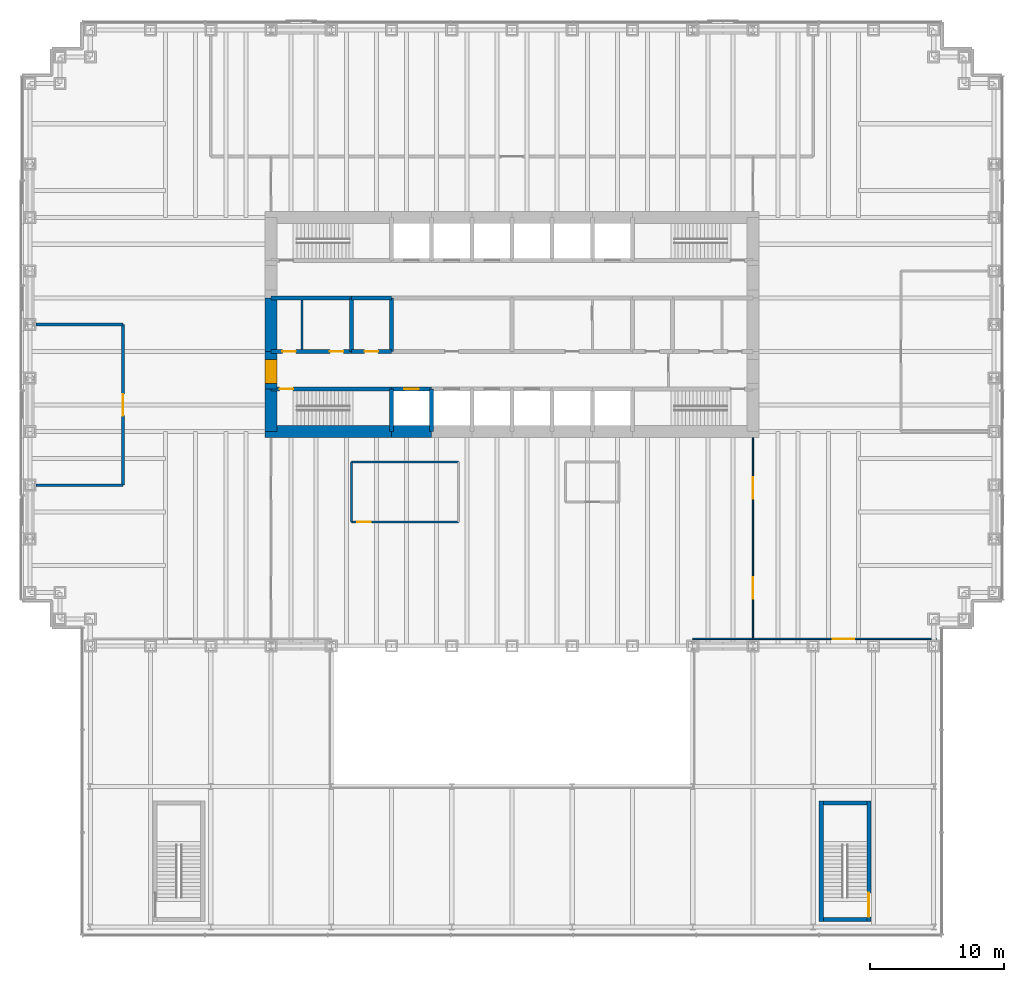
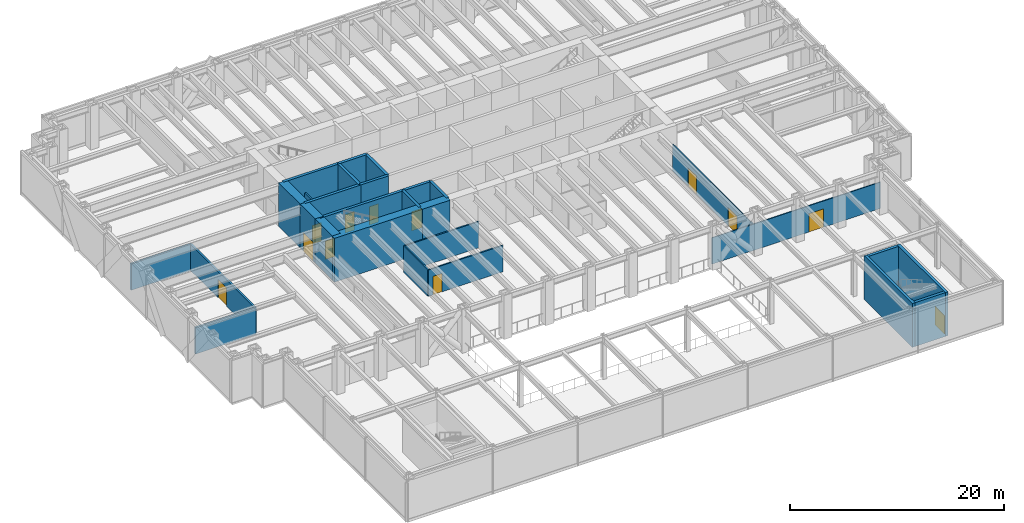
# One storey, part 13 of 17: 28 walls, 12 doors, 12 openings.
"""IFC4 building model written with IfcOpenShell, lengths in metres."""

from ifc_helpers import new_model, si_unit, direction, frame, frame_2d, origin, place, context, subcontext, project, spatial, rectangle, extrude, material, layer, layer_set, type_object, element, fill, save


model = new_model("IFC4")

# Units and contexts
model_context = context("Model", 3, precision=1e-05, world=origin(), true_north=direction((0.0, 1.0)))
body_context = subcontext(model_context, "Body", "Model", "MODEL_VIEW")
ifc_project = project(units=[si_unit("LENGTHUNIT", "METRE"), si_unit("AREAUNIT", "SQUARE_METRE"), si_unit("VOLUMEUNIT", "CUBIC_METRE"), si_unit("PLANEANGLEUNIT", "RADIAN"), si_unit("MASSUNIT", "GRAM", prefix="KILO")], contexts=[model_context])

# Site, building, storey
site_placement = place(None, origin())
site = spatial("IfcSite", under=ifc_project, at=site_placement, CompositionType="ELEMENT")
building_placement = place(site_placement, origin())
building = spatial("IfcBuilding", under=site, at=building_placement, Name="Rheinbord Bourse Tower", CompositionType="ELEMENT")
storey_placement = place(building_placement, frame((0.0, 0.0, 13.0)))
storey = spatial("IfcBuildingStorey", under=building, at=storey_placement, Name="L02", CompositionType="ELEMENT", Elevation=13.0)

# Walls
ifc_material_1 = material(Name="Acoustic gypsum board partition", Category="gypsum board")
ifc_layer_1 = layer(ifc_material_1, 0.199951171875)
ifc_layer_set_1 = layer_set([ifc_layer_1], Name="ACOUSTIC PARTITION 200")
wall_type_1 = type_object("IfcWallType", Name="ACOUSTIC PARTITION 200", PredefinedType="PARTITIONING", material=ifc_layer_set_1)
for number, where, z_axis, x_axis, name in (
    (1, (0.449951171875, 12.0, 0.0), (0.0, 0.0, 1.0), (1.0, 0.0, 0.0), "Partition L02-03"),
    (2, (0.449951171875, 24.0, 0.0), (0.0, 0.0, 1.0), (1.0, 0.0, 0.0), "Partition L02-07"),
):
    element("IfcWall", number, at=place(storey_placement, frame(where, z_axis=z_axis, x_axis=x_axis)), inside=storey, type_object=wall_type_1, Name=name, PredefinedType="PARTITIONING", context=body_context, shape_type="SweptSolid", body=[
        extrude(rectangle(XDim=6.5, YDim=0.199951171875, at=frame_2d((3.25, 0.0))), origin(), (0.0, 0.0, 1.0), 3.0),
    ])

# Wall, opening, door
wall_1_placement = place(storey_placement, frame((6.949951171875, 12.0, 0.0), z_axis=(0.0, 0.0, 1.0), x_axis=(0.0, 1.0, 0.0)))
wall_1 = element("IfcWall", 3, at=wall_1_placement, inside=storey, type_object=wall_type_1, Name="Partition L02-10", PredefinedType="PARTITIONING", context=body_context, shape_type="SweptSolid", body=[
    extrude(rectangle(XDim=12.0, YDim=0.199951171875, at=frame_2d((6.0, 0.0))), origin(), (0.0, 0.0, 1.0), 3.0),
])
opening_1_placement = place(wall_1_placement, frame((5.199951171875, 0.0, 0.0)))
opening_1 = element("IfcOpeningElement", 4, at=opening_1_placement, cuts=wall_1, Name="Opening 02D03", PredefinedType="OPENING", context=body_context, shape_type="SweptSolid", body=[
    extrude(rectangle(XDim=1.60009765625, YDim=2.10009765625, at=frame_2d((0.800048828125, 1.050048828125))), frame((0.0, 0.10986328125, 0.0), z_axis=(0.0, -1.0, 0.0), x_axis=(1.0, 0.0, 0.0)), (0.0, 0.0, 1.0), 0.219970703125),
])
ifc_material_2 = material(Name="Timber door", Category="wood")
door_type_1 = type_object("IfcDoorType", Name="DOUBLE ROOM DOOR 1600", OperationType="DOUBLE_DOOR_DOUBLE_SWING", PredefinedType="DOOR", material=ifc_material_2)
door_1_placement = place(opening_1_placement, origin())
door_1 = element("IfcDoor", 5, at=door_1_placement, inside=storey, type_object=door_type_1, Name="Visitor centre media room door L02", OperationType="SINGLE_SWING_LEFT", OverallHeight=2.10009765625, OverallWidth=1.60009765625, PredefinedType="DOOR", context=body_context, shape_type="SweptSolid", body=[
    extrude(rectangle(XDim=1.60009765625, YDim=2.10009765625, at=frame_2d((0.800048828125, 1.050048828125))), frame((0.0, 0.02490234375, 0.0), z_axis=(0.0, -1.0, 0.0), x_axis=(1.0, 0.0, 0.0)), (0.0, 0.0, 1.0), 0.050048828125),
])
fill(opening_1, door_1)

ifc_material_3 = material(Name="Concrete C50/60", Category="concrete")
ifc_layer_2 = layer(ifc_material_3, 0.300048828125)
ifc_layer_set_2 = layer_set([ifc_layer_2], Name="CORE INNER WALL 300")
wall_type_2 = type_object("IfcWallType", Name="CORE INNER WALL 300", PredefinedType="SOLIDWALL", material=ifc_layer_set_2)
wall_2_placement = place(storey_placement, frame((18.0, 19.199951171875, 0.0), z_axis=(0.0, 0.0, 1.0), x_axis=(1.0, 0.0, 0.0)))
wall_2 = element("IfcWall", 6, at=wall_2_placement, inside=storey, type_object=wall_type_2, Name="Core wall A1 L02", PredefinedType="SOLIDWALL", context=body_context, shape_type="SweptSolid", body=[
    extrude(rectangle(XDim=9.0, YDim=0.300048828125, at=frame_2d((4.5, 0.0))), origin(), (0.0, 0.0, 1.0), 5.0),
])
opening_2_placement = place(wall_2_placement, frame((0.64990234375, 0.0, 0.0)))
opening_2 = element("IfcOpeningElement", 7, at=opening_2_placement, cuts=wall_2, Name="Opening 0210", PredefinedType="OPENING", context=body_context, shape_type="SweptSolid", body=[
    extrude(rectangle(XDim=1.0, YDim=2.10009765625, at=frame_2d((0.5, 1.050048828125))), frame((0.0, 0.159912109375, 0.0), z_axis=(0.0, -1.0, 0.0), x_axis=(1.0, 0.0, 0.0)), (0.0, 0.0, 1.0), 0.320068359375),
])
ifc_material_4 = material(Name="Steel door", Category="steel")
door_type_2 = type_object("IfcDoorType", Name="DOOR 1000 EI30", OperationType="SINGLE_SWING_LEFT", PredefinedType="DOOR", material=ifc_material_4)
door_2_placement = place(opening_2_placement, origin())
door_2 = element("IfcDoor", 8, at=door_2_placement, inside=storey, type_object=door_type_2, Name="Stair door ST1 L02", OperationType="SINGLE_SWING_LEFT", OverallHeight=2.10009765625, OverallWidth=1.0, PredefinedType="DOOR", context=body_context, shape_type="SweptSolid", body=[
    extrude(rectangle(XDim=1.0, YDim=2.10009765625, at=frame_2d((0.5, 1.050048828125))), frame((0.0, 0.02490234375, 0.0), z_axis=(0.0, -1.0, 0.0), x_axis=(1.0, 0.0, 0.0)), (0.0, 0.0, 1.0), 0.050048828125),
])
fill(opening_2, door_2)

wall_3_placement = place(storey_placement, frame((27.0, 19.199951171875, 0.0), z_axis=(0.0, 0.0, 1.0), x_axis=(1.0, 0.0, 0.0)))
wall_3 = element("IfcWall", 9, at=wall_3_placement, inside=storey, type_object=wall_type_2, Name="Core wall A2 L02", PredefinedType="SOLIDWALL", context=body_context, shape_type="SweptSolid", body=[
    extrude(rectangle(XDim=3.0, YDim=0.300048828125, at=frame_2d((1.5, 0.0))), origin(), (0.0, 0.0, 1.0), 5.0),
])
opening_3_placement = place(wall_3_placement, frame((0.949951171875, 0.0, 0.0)))
opening_3 = element("IfcOpeningElement", 10, at=opening_3_placement, cuts=wall_3, Name="Opening FL1", PredefinedType="OPENING", context=body_context, shape_type="SweptSolid", body=[
    extrude(rectangle(XDim=1.10009765625, YDim=2.199951171875, at=frame_2d((0.550048828125, 1.10009765625))), frame((0.0, 0.159912109375, 0.0), z_axis=(0.0, -1.0, 0.0), x_axis=(1.0, 0.0, 0.0)), (0.0, 0.0, 1.0), 0.320068359375),
])
ifc_material_5 = material(Name="Steel landing door", Category="steel")
door_type_3 = type_object("IfcDoorType", Name="LIFT LANDING DOOR 1100", OperationType="DOUBLE_DOOR_SLIDING", PredefinedType="USERDEFINED", material=ifc_material_5)
door_3_placement = place(opening_3_placement, origin())
door_3 = element("IfcDoor", 11, at=door_3_placement, inside=storey, type_object=door_type_3, Name="Lift landing door FL1 L02", ObjectType="LIFT LANDING DOOR", OperationType="DOUBLE_DOOR_SLIDING", OverallHeight=2.199951171875, OverallWidth=1.10009765625, PredefinedType="USERDEFINED", context=body_context, shape_type="SweptSolid", body=[
    extrude(rectangle(XDim=1.10009765625, YDim=2.199951171875, at=frame_2d((0.550048828125, 1.10009765625))), frame((0.0, 0.02490234375, 0.0), z_axis=(0.0, -1.0, 0.0), x_axis=(1.0, 0.0, 0.0)), (0.0, 0.0, 1.0), 0.050048828125),
])
fill(opening_3, door_3)

# Wall, openings, doors
wall_4_placement = place(storey_placement, frame((18.0, 22.0, 0.0), z_axis=(0.0, 0.0, 1.0), x_axis=(1.0, 0.0, 0.0)))
wall_4 = element("IfcWall", 12, at=wall_4_placement, inside=storey, type_object=wall_type_2, Name="Core wall C1 L02", PredefinedType="SOLIDWALL", context=body_context, shape_type="SweptSolid", body=[
    extrude(rectangle(XDim=6.0, YDim=0.300048828125, at=frame_2d((3.0, 0.0))), origin(), (0.0, 0.0, 1.0), 5.0),
])
opening_4_placement = place(wall_4_placement, frame((4.39990234375, 0.0, 0.0)))
opening_4 = element("IfcOpeningElement", 13, at=opening_4_placement, cuts=wall_4, Name="Opening 02R1", PredefinedType="OPENING", context=body_context, shape_type="SweptSolid", body=[
    extrude(rectangle(XDim=1.0, YDim=2.10009765625, at=frame_2d((0.5, 1.050048828125))), frame((0.0, 0.159912109375, 0.0), z_axis=(0.0, -1.0, 0.0), x_axis=(1.0, 0.0, 0.0)), (0.0, 0.0, 1.0), 0.320068359375),
])
opening_5_placement = place(wall_4_placement, frame((0.85009765625, 0.0, 0.0)))
opening_5 = element("IfcOpeningElement", 14, at=opening_5_placement, cuts=wall_4, Name="Opening 02R9", PredefinedType="OPENING", context=body_context, shape_type="SweptSolid", body=[
    extrude(rectangle(XDim=1.0, YDim=2.10009765625, at=frame_2d((0.5, 1.050048828125))), frame((0.0, 0.159912109375, 0.0), z_axis=(0.0, -1.0, 0.0), x_axis=(1.0, 0.0, 0.0)), (0.0, 0.0, 1.0), 0.320068359375),
])
door_4_placement = place(opening_5_placement, origin())
door_4 = element("IfcDoor", 15, at=door_4_placement, inside=storey, type_object=door_type_2, Name="Staff shower door L02", OperationType="SINGLE_SWING_LEFT", OverallHeight=2.10009765625, OverallWidth=1.0, PredefinedType="DOOR", context=body_context, shape_type="SweptSolid", body=[
    extrude(rectangle(XDim=1.0, YDim=2.10009765625, at=frame_2d((0.5, 1.050048828125))), frame((0.0, 0.02490234375, 0.0), z_axis=(0.0, -1.0, 0.0), x_axis=(1.0, 0.0, 0.0)), (0.0, 0.0, 1.0), 0.050048828125),
])
fill(opening_5, door_4)
ifc_material_6 = material(Name="Timber door", Category="wood")
door_type_4 = type_object("IfcDoorType", Name="DOOR 1000 WC", OperationType="SINGLE_SWING_LEFT", PredefinedType="DOOR", material=ifc_material_6)
door_5_placement = place(opening_4_placement, origin())
door_5 = element("IfcDoor", 16, at=door_5_placement, inside=storey, type_object=door_type_4, Name="WC men door L02", OperationType="SINGLE_SWING_RIGHT", OverallHeight=2.10009765625, OverallWidth=1.0, PredefinedType="DOOR", context=body_context, shape_type="SweptSolid", body=[
    extrude(rectangle(XDim=1.0, YDim=2.10009765625, at=frame_2d((0.5, 1.050048828125))), frame((0.0, 0.02490234375, 0.0), z_axis=(0.0, -1.0, 0.0), x_axis=(1.0, 0.0, 0.0)), (0.0, 0.0, 1.0), 0.050048828125),
])
fill(opening_4, door_5)

# Wall, opening, door
wall_5_placement = place(storey_placement, frame((24.0, 22.0, 0.0), z_axis=(0.0, 0.0, 1.0), x_axis=(1.0, 0.0, 0.0)))
wall_5 = element("IfcWall", 17, at=wall_5_placement, inside=storey, type_object=wall_type_2, Name="Core wall C2 L02", PredefinedType="SOLIDWALL", context=body_context, shape_type="SweptSolid", body=[
    extrude(rectangle(XDim=3.0, YDim=0.300048828125, at=frame_2d((1.5, 0.0))), origin(), (0.0, 0.0, 1.0), 5.0),
])
opening_6_placement = place(wall_5_placement, frame((1.0, 0.0, 0.0)))
opening_6 = element("IfcOpeningElement", 18, at=opening_6_placement, cuts=wall_5, Name="Opening 02R2", PredefinedType="OPENING", context=body_context, shape_type="SweptSolid", body=[
    extrude(rectangle(XDim=1.0, YDim=2.10009765625, at=frame_2d((0.5, 1.050048828125))), frame((0.0, 0.159912109375, 0.0), z_axis=(0.0, -1.0, 0.0), x_axis=(1.0, 0.0, 0.0)), (0.0, 0.0, 1.0), 0.320068359375),
])
door_6_placement = place(opening_6_placement, origin())
door_6 = element("IfcDoor", 19, at=door_6_placement, inside=storey, type_object=door_type_4, Name="Accessible WC door L02", OperationType="SINGLE_SWING_LEFT", OverallHeight=2.10009765625, OverallWidth=1.0, PredefinedType="DOOR", context=body_context, shape_type="SweptSolid", body=[
    extrude(rectangle(XDim=1.0, YDim=2.10009765625, at=frame_2d((0.5, 1.050048828125))), frame((0.0, 0.02490234375, 0.0), z_axis=(0.0, -1.0, 0.0), x_axis=(1.0, 0.0, 0.0)), (0.0, 0.0, 1.0), 0.050048828125),
])
fill(opening_6, door_6)

# Walls
wall_6_placement = place(storey_placement, frame((18.0, 26.0, 0.0), z_axis=(0.0, 0.0, 1.0), x_axis=(1.0, 0.0, 0.0)))
element("IfcWall", 20, at=wall_6_placement, inside=storey, type_object=wall_type_2, Name="Core wall D1 L02", PredefinedType="SOLIDWALL", context=body_context, shape_type="SweptSolid", body=[
    extrude(rectangle(XDim=6.0, YDim=0.300048828125, at=frame_2d((3.0, 0.0))), origin(), (0.0, 0.0, 1.0), 5.0),
])
wall_7_placement = place(storey_placement, frame((24.0, 26.0, 0.0), z_axis=(0.0, 0.0, 1.0), x_axis=(1.0, 0.0, 0.0)))
element("IfcWall", 21, at=wall_7_placement, inside=storey, type_object=wall_type_2, Name="Core wall D2 L02", PredefinedType="SOLIDWALL", context=body_context, shape_type="SweptSolid", body=[
    extrude(rectangle(XDim=3.0, YDim=0.300048828125, at=frame_2d((1.5, 0.0))), origin(), (0.0, 0.0, 1.0), 5.0),
])
for number, where, z_axis, x_axis, name in (
    (22, (27.0, 16.0, 0.0), (0.0, 0.0, 1.0), (0.0, 1.0, 0.0), "Core wall SX27 L02"),
    (23, (30.0, 16.0, 0.0), (0.0, 0.0, 1.0), (0.0, 1.0, 0.0), "Core wall SX30 L02"),
):
    element("IfcWall", number, at=place(storey_placement, frame(where, z_axis=z_axis, x_axis=x_axis)), inside=storey, type_object=wall_type_2, Name=name, PredefinedType="SOLIDWALL", context=body_context, shape_type="SweptSolid", body=[
        extrude(rectangle(XDim=3.199951171875, YDim=0.300048828125, at=frame_2d((1.60009765625, 0.0))), origin(), (0.0, 0.0, 1.0), 5.0),
    ])
for number, where, z_axis, x_axis, name in (
    (24, (24.0, 22.0, 0.0), (0.0, 0.0, 1.0), (0.0, 1.0, 0.0), "Core wall MX24 L02"),
    (25, (27.0, 22.0, 0.0), (0.0, 0.0, 1.0), (0.0, 1.0, 0.0), "Core wall MX27 L02"),
):
    element("IfcWall", number, at=place(storey_placement, frame(where, z_axis=z_axis, x_axis=x_axis)), inside=storey, type_object=wall_type_2, Name=name, PredefinedType="SOLIDWALL", context=body_context, shape_type="SweptSolid", body=[
        extrude(rectangle(XDim=4.0, YDim=0.300048828125, at=frame_2d((2.0, 0.0))), origin(), (0.0, 0.0, 1.0), 5.0),
    ])
ifc_material_7 = material(Name="Gypsum board fire partition", Category="gypsum board")
ifc_layer_3 = layer(ifc_material_7, 0.14990234375)
ifc_layer_set_3 = layer_set([ifc_layer_3], Name="CORE PARTITION 150 EI30")
wall_type_3 = type_object("IfcWallType", Name="CORE PARTITION 150 EI30", PredefinedType="PARTITIONING", material=ifc_layer_set_3)
wall_8_placement = place(storey_placement, frame((20.324951171875, 22.14990234375, 0.0), z_axis=(0.0, 0.0, 1.0), x_axis=(0.0, 1.0, 0.0)))
element("IfcWall", 26, at=wall_8_placement, inside=storey, type_object=wall_type_3, Name="Core partition L02-2", PredefinedType="PARTITIONING", context=body_context, shape_type="SweptSolid", body=[
    extrude(rectangle(XDim=3.7001953125, YDim=0.14990234375, at=frame_2d((1.85009765625, 0.0))), origin(), (0.0, 0.0, 1.0), 3.0),
])
ifc_material_8 = material(Name="Concrete C50/60", Category="concrete")
ifc_layer_4 = layer(ifc_material_8, 0.89990234375)
ifc_layer_set_4 = layer_set([ifc_layer_4], Name="CORE WALL 900")
wall_type_4 = type_object("IfcWallType", Name="CORE WALL 900", PredefinedType="SHEAR", material=ifc_layer_set_4)
wall_9_placement = place(storey_placement, frame((17.550048828125, 16.0, 0.0), z_axis=(0.0, 0.0, 1.0), x_axis=(1.0, 0.0, 0.0)))
element("IfcWall", 27, at=wall_9_placement, inside=storey, type_object=wall_type_4, Name="Core wall S1 L02", PredefinedType="SHEAR", context=body_context, shape_type="SweptSolid", body=[
    extrude(rectangle(XDim=9.449951171875, YDim=0.89990234375, at=frame_2d((4.72509765625, 0.0))), origin(), (0.0, 0.0, 1.0), 5.0),
])
wall_10_placement = place(storey_placement, frame((27.0, 16.0, 0.0), z_axis=(0.0, 0.0, 1.0), x_axis=(1.0, 0.0, 0.0)))
element("IfcWall", 28, at=wall_10_placement, inside=storey, type_object=wall_type_4, Name="Core wall S2 L02", PredefinedType="SHEAR", context=body_context, shape_type="SweptSolid", body=[
    extrude(rectangle(XDim=3.0, YDim=0.89990234375, at=frame_2d((1.5, 0.0))), origin(), (0.0, 0.0, 1.0), 5.0),
])
wall_11_placement = place(storey_placement, frame((18.0, 26.0, 0.0), z_axis=(0.0, 0.0, 1.0), x_axis=(0.0, -1.0, 0.0)))
element("IfcWall", 29, at=wall_11_placement, inside=storey, type_object=wall_type_4, Name="Core wall W3 L02", PredefinedType="SHEAR", context=body_context, shape_type="SweptSolid", body=[
    extrude(rectangle(XDim=4.0, YDim=0.89990234375, at=frame_2d((2.0, 0.0))), origin(), (0.0, 0.0, 1.0), 5.0),
])

# Wall, opening, door
wall_12_placement = place(storey_placement, frame((18.0, 22.0, 0.0), z_axis=(0.0, 0.0, 1.0), x_axis=(0.0, -1.0, 0.0)))
wall_12 = element("IfcWall", 30, at=wall_12_placement, inside=storey, type_object=wall_type_4, Name="Core wall W4 L02", PredefinedType="SHEAR", context=body_context, shape_type="SweptSolid", body=[
    extrude(rectangle(XDim=2.800048828125, YDim=0.89990234375, at=frame_2d((1.39990234375, 0.0))), origin(), (0.0, 0.0, 1.0), 5.0),
])
opening_7_placement = place(wall_12_placement, frame((0.60009765625, 0.0, 0.0)))
opening_7 = element("IfcOpeningElement", 31, at=opening_7_placement, cuts=wall_12, Name="Opening 02L1", PredefinedType="OPENING", context=body_context, shape_type="SweptSolid", body=[
    extrude(rectangle(XDim=1.800048828125, YDim=2.10009765625, at=frame_2d((0.89990234375, 1.050048828125))), frame((0.0, 0.4599609375, 0.0), z_axis=(0.0, -1.0, 0.0), x_axis=(1.0, 0.0, 0.0)), (0.0, 0.0, 1.0), 0.919921875),
])
ifc_material_9 = material(Name="Steel door", Category="steel")
door_type_5 = type_object("IfcDoorType", Name="DOOR 1800 EI30 DOUBLE", OperationType="DOUBLE_DOOR_DOUBLE_SWING", PredefinedType="DOOR", material=ifc_material_9)
door_7_placement = place(opening_7_placement, origin())
door_7 = element("IfcDoor", 32, at=door_7_placement, inside=storey, type_object=door_type_5, Name="Lobby door 1 L02", OperationType="SINGLE_SWING_LEFT", OverallHeight=2.10009765625, OverallWidth=1.800048828125, PredefinedType="DOOR", context=body_context, shape_type="SweptSolid", body=[
    extrude(rectangle(XDim=1.800048828125, YDim=2.10009765625, at=frame_2d((0.89990234375, 1.050048828125))), frame((0.0, 0.44970703125, 0.0), z_axis=(0.0, -1.0, 0.0), x_axis=(1.0, 0.0, 0.0)), (0.0, 0.0, 1.0), 0.8994140625),
])
fill(opening_7, door_7)

# Wall
wall_13_placement = place(storey_placement, frame((18.0, 19.199951171875, 0.0), z_axis=(0.0, 0.0, 1.0), x_axis=(0.0, -1.0, 0.0)))
element("IfcWall", 33, at=wall_13_placement, inside=storey, type_object=wall_type_4, Name="Core wall W5 L02", PredefinedType="SHEAR", context=body_context, shape_type="SweptSolid", body=[
    extrude(rectangle(XDim=3.199951171875, YDim=0.89990234375, at=frame_2d((1.60009765625, 0.0))), origin(), (0.0, 0.0, 1.0), 5.0),
])

# Wall, openings, doors
ifc_material_10 = material(Name="Toughened laminated glass partition", Category="glass")
ifc_layer_5 = layer(ifc_material_10, 0.10009765625)
ifc_layer_set_5 = layer_set([ifc_layer_5], Name="GLAZED PARTITION 100")
wall_type_5 = type_object("IfcWallType", Name="GLAZED PARTITION 100", PredefinedType="PARTITIONING", material=ifc_layer_set_5)
wall_14_placement = place(storey_placement, frame((54.0, 0.574951171875, 0.0), z_axis=(0.0, 0.0, 1.0), x_axis=(0.0, 1.0, 0.0)))
wall_14 = element("IfcWall", 34, at=wall_14_placement, inside=storey, type_object=wall_type_5, Name="Partition L02-18", PredefinedType="PARTITIONING", context=body_context, shape_type="SweptSolid", body=[
    extrude(rectangle(XDim=14.97509765625, YDim=0.10009765625, at=frame_2d((7.487548828125, 0.0))), origin(), (0.0, 0.0, 1.0), 3.0),
])
opening_8_placement = place(wall_14_placement, frame((2.944091796875, 0.0, 0.0)))
opening_8 = element("IfcOpeningElement", 35, at=opening_8_placement, cuts=wall_14, Name="Opening 02D09", PredefinedType="OPENING", context=body_context, shape_type="SweptSolid", body=[
    extrude(rectangle(XDim=1.60009765625, YDim=2.10009765625, at=frame_2d((0.800048828125, 1.050048828125))), frame((0.0, 0.06005859375, 0.0), z_axis=(0.0, -1.0, 0.0), x_axis=(1.0, 0.0, 0.0)), (0.0, 0.0, 1.0), 0.1201171875),
])
opening_9_placement = place(wall_14_placement, frame((10.430908203125, 0.0, 0.0)))
opening_9 = element("IfcOpeningElement", 36, at=opening_9_placement, cuts=wall_14, Name="Opening 02D10", PredefinedType="OPENING", context=body_context, shape_type="SweptSolid", body=[
    extrude(rectangle(XDim=1.60009765625, YDim=2.10009765625, at=frame_2d((0.800048828125, 1.050048828125))), frame((0.0, 0.06005859375, 0.0), z_axis=(0.0, -1.0, 0.0), x_axis=(1.0, 0.0, 0.0)), (0.0, 0.0, 1.0), 0.1201171875),
])
door_8_placement = place(opening_8_placement, origin())
door_8 = element("IfcDoor", 37, at=door_8_placement, inside=storey, type_object=door_type_1, Name="Open area door L02", OperationType="SINGLE_SWING_LEFT", OverallHeight=2.10009765625, OverallWidth=1.60009765625, PredefinedType="DOOR", context=body_context, shape_type="SweptSolid", body=[
    extrude(rectangle(XDim=1.60009765625, YDim=2.10009765625, at=frame_2d((0.800048828125, 1.050048828125))), frame((0.0, 0.02490234375, 0.0), z_axis=(0.0, -1.0, 0.0), x_axis=(1.0, 0.0, 0.0)), (0.0, 0.0, 1.0), 0.050048828125),
])
fill(opening_8, door_8)
door_9_placement = place(opening_9_placement, origin())
door_9 = element("IfcDoor", 38, at=door_9_placement, inside=storey, type_object=door_type_1, Name="Open area door L02", OperationType="SINGLE_SWING_LEFT", OverallHeight=2.10009765625, OverallWidth=1.60009765625, PredefinedType="DOOR", context=body_context, shape_type="SweptSolid", body=[
    extrude(rectangle(XDim=1.60009765625, YDim=2.10009765625, at=frame_2d((0.800048828125, 1.050048828125))), frame((0.0, 0.02490234375, 0.0), z_axis=(0.0, -1.0, 0.0), x_axis=(1.0, 0.0, 0.0)), (0.0, 0.0, 1.0), 0.050048828125),
])
fill(opening_9, door_9)

# Wall, opening, door
wall_15_placement = place(storey_placement, frame((49.5, 0.52490234375, 0.0), z_axis=(0.0, 0.0, 1.0), x_axis=(1.0, 0.0, 0.0)))
wall_15 = element("IfcWall", 39, at=wall_15_placement, inside=storey, type_object=wall_type_5, Name="Podium screen L02-2", PredefinedType="PARTITIONING", context=body_context, shape_type="SweptSolid", body=[
    extrude(rectangle(XDim=18.199951171875, YDim=0.10009765625, at=frame_2d((9.10009765625, 0.0))), origin(), (0.0, 0.0, 1.0), 3.0),
])
opening_10_placement = place(wall_15_placement, frame((10.449951171875, 0.0, 0.0)))
opening_10 = element("IfcOpeningElement", 40, at=opening_10_placement, cuts=wall_15, Name="Opening 02D13", PredefinedType="OPENING", context=body_context, shape_type="SweptSolid", body=[
    extrude(rectangle(XDim=1.60009765625, YDim=2.10009765625, at=frame_2d((0.800048828125, 1.050048828125))), frame((0.0, 0.06005859375, 0.0), z_axis=(0.0, -1.0, 0.0), x_axis=(1.0, 0.0, 0.0)), (0.0, 0.0, 1.0), 0.1201171875),
])
door_10_placement = place(opening_10_placement, origin())
door_10 = element("IfcDoor", 41, at=door_10_placement, inside=storey, type_object=door_type_1, Name="Podium screen door L02", OperationType="SINGLE_SWING_LEFT", OverallHeight=2.10009765625, OverallWidth=1.60009765625, PredefinedType="DOOR", context=body_context, shape_type="SweptSolid", body=[
    extrude(rectangle(XDim=1.60009765625, YDim=2.10009765625, at=frame_2d((0.800048828125, 1.050048828125))), frame((0.0, 0.02490234375, 0.0), z_axis=(0.0, -1.0, 0.0), x_axis=(1.0, 0.0, 0.0)), (0.0, 0.0, 1.0), 0.050048828125),
])
fill(opening_10, door_10)

ifc_material_11 = material(Name="Gypsum board partition", Category="gypsum board")
ifc_layer_6 = layer(ifc_material_11, 0.14990234375)
ifc_layer_set_6 = layer_set([ifc_layer_6], Name="PARTITION 150")
wall_type_6 = type_object("IfcWallType", Name="PARTITION 150", PredefinedType="PARTITIONING", material=ifc_layer_set_6)
wall_16_placement = place(storey_placement, frame((24.0, 9.25, 0.0), z_axis=(0.0, 0.0, 1.0), x_axis=(1.0, 0.0, 0.0)))
wall_16 = element("IfcWall", 42, at=wall_16_placement, inside=storey, type_object=wall_type_6, Name="Partition L02-01", PredefinedType="PARTITIONING", context=body_context, shape_type="SweptSolid", body=[
    extrude(rectangle(XDim=8.0, YDim=0.14990234375, at=frame_2d((4.0, 0.0))), origin(), (0.0, 0.0, 1.0), 3.0),
])
opening_11_placement = place(wall_16_placement, frame((0.449951171875, 0.0, 0.0)))
opening_11 = element("IfcOpeningElement", 43, at=opening_11_placement, cuts=wall_16, Name="Opening 02D01", PredefinedType="OPENING", context=body_context, shape_type="SweptSolid", body=[
    extrude(rectangle(XDim=1.0, YDim=2.10009765625, at=frame_2d((0.5, 1.050048828125))), frame((0.0, 0.0849609375, 0.0), z_axis=(0.0, -1.0, 0.0), x_axis=(1.0, 0.0, 0.0)), (0.0, 0.0, 1.0), 0.169921875),
])
ifc_material_12 = material(Name="Timber door", Category="wood")
door_type_6 = type_object("IfcDoorType", Name="ROOM DOOR 1000", OperationType="SINGLE_SWING_LEFT", PredefinedType="DOOR", material=ifc_material_12)
door_11_placement = place(opening_11_placement, origin())
door_11 = element("IfcDoor", 44, at=door_11_placement, inside=storey, type_object=door_type_6, Name="Museum shop door L02", OperationType="SINGLE_SWING_LEFT", OverallHeight=2.10009765625, OverallWidth=1.0, PredefinedType="DOOR", context=body_context, shape_type="SweptSolid", body=[
    extrude(rectangle(XDim=1.0, YDim=2.10009765625, at=frame_2d((0.5, 1.050048828125))), frame((0.0, 0.02490234375, 0.0), z_axis=(0.0, -1.0, 0.0), x_axis=(1.0, 0.0, 0.0)), (0.0, 0.0, 1.0), 0.050048828125),
])
fill(opening_11, door_11)

# Walls
wall_17_placement = place(storey_placement, frame((24.0, 13.75, 0.0), z_axis=(0.0, 0.0, 1.0), x_axis=(1.0, 0.0, 0.0)))
element("IfcWall", 45, at=wall_17_placement, inside=storey, type_object=wall_type_6, Name="Partition L02-04", PredefinedType="PARTITIONING", context=body_context, shape_type="SweptSolid", body=[
    extrude(rectangle(XDim=8.0, YDim=0.14990234375, at=frame_2d((4.0, 0.0))), origin(), (0.0, 0.0, 1.0), 3.0),
])
wall_18_placement = place(storey_placement, frame((24.0, 9.25, 0.0), z_axis=(0.0, 0.0, 1.0), x_axis=(0.0, 1.0, 0.0)))
element("IfcWall", 46, at=wall_18_placement, inside=storey, type_object=wall_type_6, Name="Partition L02-14", PredefinedType="PARTITIONING", context=body_context, shape_type="SweptSolid", body=[
    extrude(rectangle(XDim=4.5, YDim=0.14990234375, at=frame_2d((2.25, 0.0))), origin(), (0.0, 0.0, 1.0), 3.0),
])
ifc_material_13 = material(Name="Concrete C50/60", Category="concrete")
ifc_layer_7 = layer(ifc_material_13, 0.300048828125)
ifc_layer_set_7 = layer_set([ifc_layer_7], Name="PODIUM STAIR WALL 300")
wall_type_7 = type_object("IfcWallType", Name="PODIUM STAIR WALL 300", PredefinedType="SOLIDWALL", material=ifc_layer_set_7)
wall_19_placement = place(storey_placement, frame((59.10009765625, -20.60009765625, 0.0), z_axis=(0.0, 0.0, 1.0), x_axis=(0.0, 1.0, 0.0)))
element("IfcWall", 47, at=wall_19_placement, inside=storey, type_object=wall_type_7, Name="Stair wall ST6 W L02", PredefinedType="SOLIDWALL", context=body_context, shape_type="SweptSolid", body=[
    extrude(rectangle(XDim=9.0, YDim=0.300048828125, at=frame_2d((4.5, 0.0))), origin(), (0.0, 0.0, 1.0), 5.0),
])

# Wall, opening, door
wall_20_placement = place(storey_placement, frame((62.64990234375, -20.60009765625, 0.0), z_axis=(0.0, 0.0, 1.0), x_axis=(0.0, 1.0, 0.0)))
wall_20 = element("IfcWall", 48, at=wall_20_placement, inside=storey, type_object=wall_type_7, Name="Stair wall ST6 E L02", PredefinedType="SOLIDWALL", context=body_context, shape_type="SweptSolid", body=[
    extrude(rectangle(XDim=9.0, YDim=0.300048828125, at=frame_2d((4.5, 0.0))), origin(), (0.0, 0.0, 1.0), 5.0),
])
opening_12_placement = place(wall_20_placement, frame((0.35009765625, 0.0, 0.0)))
opening_12 = element("IfcOpeningElement", 49, at=opening_12_placement, cuts=wall_20, Name="Opening 0261", PredefinedType="OPENING", context=body_context, shape_type="SweptSolid", body=[
    extrude(rectangle(XDim=1.800048828125, YDim=2.10009765625, at=frame_2d((0.89990234375, 1.050048828125))), frame((0.0, 0.159912109375, 0.0), z_axis=(0.0, -1.0, 0.0), x_axis=(1.0, 0.0, 0.0)), (0.0, 0.0, 1.0), 0.320068359375),
])
door_12_placement = place(opening_12_placement, origin())
door_12 = element("IfcDoor", 50, at=door_12_placement, inside=storey, type_object=door_type_5, Name="Stair door ST6 L02", OperationType="SINGLE_SWING_LEFT", OverallHeight=2.10009765625, OverallWidth=1.800048828125, PredefinedType="DOOR", context=body_context, shape_type="SweptSolid", body=[
    extrude(rectangle(XDim=1.800048828125, YDim=2.10009765625, at=frame_2d((0.89990234375, 1.050048828125))), frame((0.0, 0.02490234375, 0.0), z_axis=(0.0, -1.0, 0.0), x_axis=(1.0, 0.0, 0.0)), (0.0, 0.0, 1.0), 0.050048828125),
])
fill(opening_12, door_12)

# Walls
for number, where, z_axis, x_axis, name in (
    (51, (59.25, -20.449951171875, 0.0), (0.0, 0.0, 1.0), (1.0, 0.0, 0.0), "Stair wall ST6 S L02"),
    (52, (59.25, -11.75, 0.0), (0.0, 0.0, 1.0), (1.0, 0.0, 0.0), "Stair wall ST6 N L02"),
):
    element("IfcWall", number, at=place(storey_placement, frame(where, z_axis=z_axis, x_axis=x_axis)), inside=storey, type_object=wall_type_7, Name=name, PredefinedType="SOLIDWALL", context=body_context, shape_type="SweptSolid", body=[
        extrude(rectangle(XDim=3.25, YDim=0.300048828125, at=frame_2d((1.625, 0.0))), origin(), (0.0, 0.0, 1.0), 5.0),
    ])

save(model, "model.ifc")
